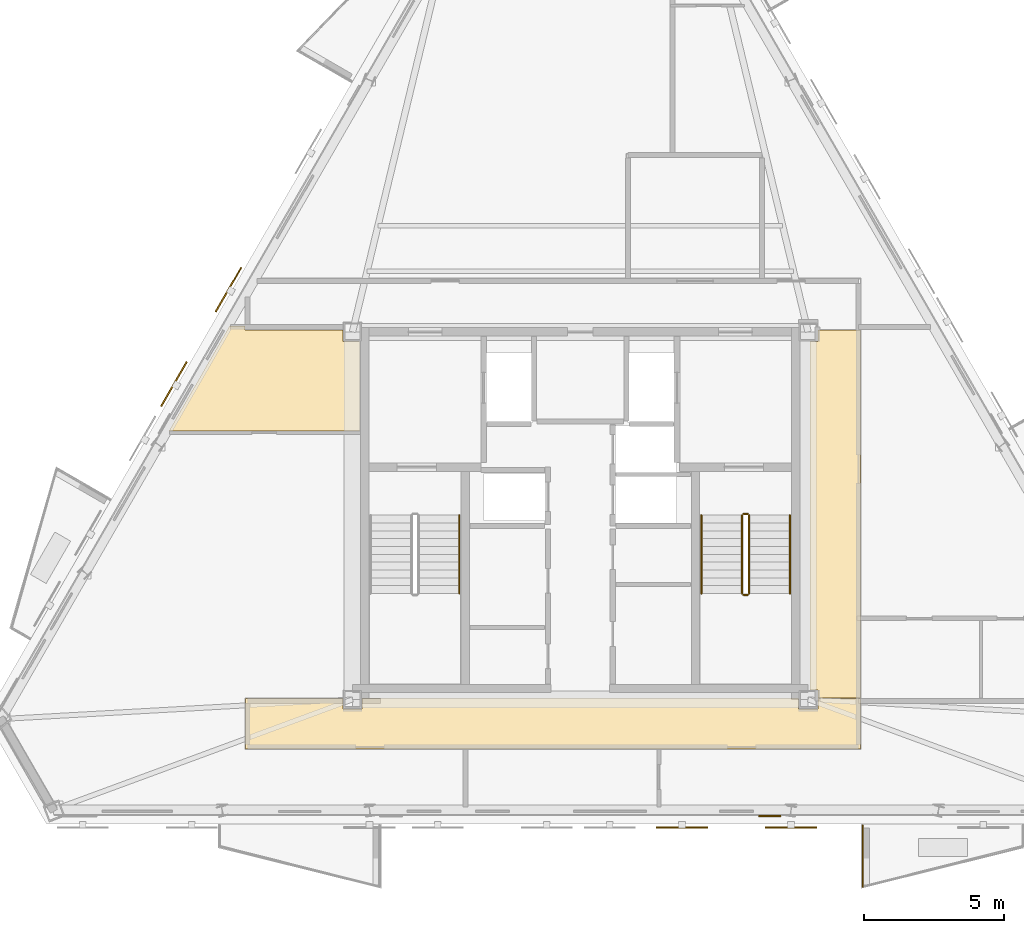
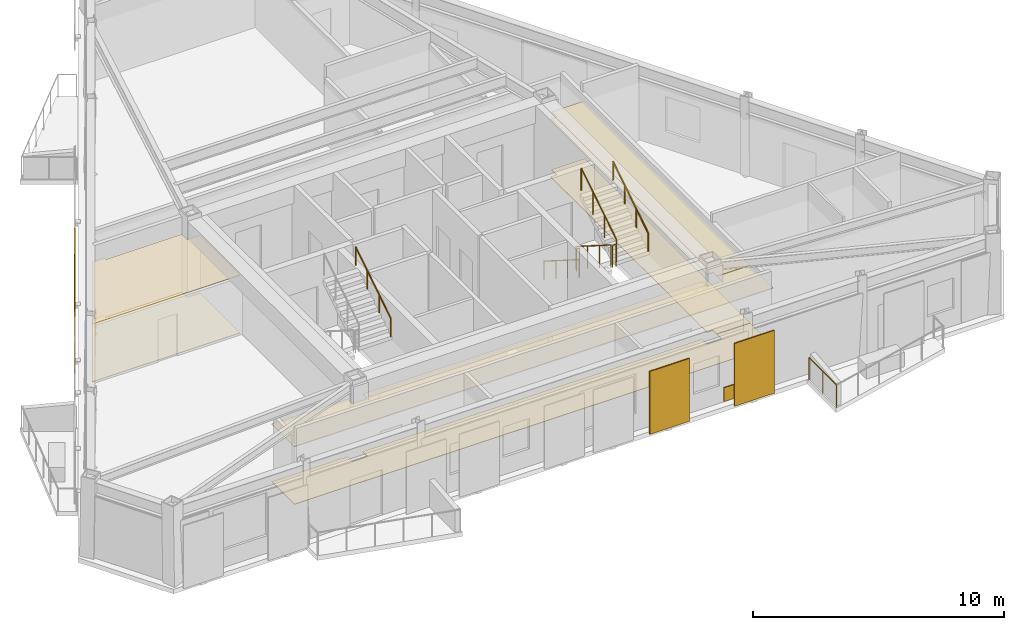
# One storey, part 7 of 9: 8 railings, 7 coverings, 4 shading devices.
"""IFC4 building model written with IfcOpenShell, lengths in metres."""

from ifc_helpers import new_model, si_unit, direction, frame, origin, origin_2d, place, context, subcontext, project, spatial, polyline, rectangle, circle, outline, extrude, material, layer, layer_set, type_object, element, save


model = new_model("IFC4")

# Units and contexts
model_context = context("Model", 3, precision=1e-05, world=origin(), true_north=direction((0.0, 1.0)))
body_context = subcontext(model_context, "Body", "Model", "MODEL_VIEW")
ifc_project = project(units=[si_unit("LENGTHUNIT", "METRE"), si_unit("AREAUNIT", "SQUARE_METRE"), si_unit("VOLUMEUNIT", "CUBIC_METRE"), si_unit("PLANEANGLEUNIT", "RADIAN"), si_unit("MASSUNIT", "GRAM", prefix="KILO")], contexts=[model_context])

# Site, building, storey
site_placement = place(None, origin())
site = spatial("IfcSite", under=ifc_project, at=site_placement, CompositionType="ELEMENT")
building_placement = place(site_placement, origin())
building = spatial("IfcBuilding", under=site, at=building_placement, Name="Oramaril Tower", CompositionType="ELEMENT")
storey_placement = place(building_placement, frame((0.0, 0.0, 301.199951171875)))
storey = spatial("IfcBuildingStorey", under=building, at=storey_placement, Name="L79", CompositionType="ELEMENT", Elevation=301.199951171875)

# Coverings
ifc_material_1 = material(Name="Mineral Fibre Acoustic Ceiling")
ifc_layer_1 = layer(ifc_material_1, 0.02001953125)
ifc_layer_set_1 = layer_set([ifc_layer_1], Name="CVT-CEIL")
covering_type_1 = type_object("IfcCoveringType", Name="CVT-CEIL", PredefinedType="CEILING", material=ifc_layer_set_1)
covering_1_placement = place(storey_placement, frame((0.0, 0.0, 2.81201171875)))
element("IfcCovering", 1, at=covering_1_placement, inside=storey, type_object=covering_type_1, Name="L79 Acoustic Suspended Ceiling 1", PredefinedType="CEILING", context=body_context, shape_type="SweptSolid", body=[
    extrude(outline(polyline([(29.0048828125, 10.655029296875), (29.695068359375, 10.655029296875), (29.695068359375, 11.030029296875), (45.304931640625, 11.030029296875), (45.304931640625, 10.655029296875), (45.9951171875, 10.655029296875), (45.9951171875, 11.030029296875), (47.530029296875, 11.030029296875), (47.530029296875, 9.219970703125), (25.52001953125, 9.219970703125), (25.52001953125, 11.030029296875), (29.0048828125, 11.030029296875), (29.0048828125, 10.655029296875)])), origin(), (0.0, 0.0, 1.0), 0.02001953125),
])
covering_2_placement = place(storey_placement, frame((0.0, 0.0, 2.81201171875)))
element("IfcCovering", 2, at=covering_2_placement, inside=storey, type_object=covering_type_1, Name="L79 Acoustic Suspended Ceiling 3", PredefinedType="CEILING", context=body_context, shape_type="SweptSolid", body=[
    extrude(outline(polyline([(47.530029296875, 11.050048828125), (45.9951171875, 11.050048828125), (45.9951171875, 11.344970703125), (45.719970703125, 11.344970703125), (45.719970703125, 23.804931640625), (45.9951171875, 23.804931640625), (45.9951171875, 24.219970703125), (47.530029296875, 24.219970703125), (47.530029296875, 11.050048828125)])), origin(), (0.0, 0.0, 1.0), 0.02001953125),
])
covering_3_placement = place(storey_placement, frame((0.0, 0.0, 2.81201171875)))
element("IfcCovering", 3, at=covering_3_placement, inside=storey, type_object=covering_type_1, Name="L79 Acoustic Suspended Ceiling 8", PredefinedType="CEILING", context=body_context, shape_type="SweptSolid", body=[
    extrude(outline(polyline([(29.0048828125, 23.804931640625), (29.60009765625, 23.804931640625), (29.60009765625, 20.60400390625), (22.78662109375, 20.60400390625), (24.956298828125, 24.362060546875), (25.5, 24.362060546875), (25.5, 24.239990234375), (25.5, 24.238037109375), (25.50048828125, 24.236083984375), (25.5009765625, 24.234130859375), (25.50146484375, 24.232421875), (25.50244140625, 24.230712890625), (25.50341796875, 24.22900390625), (25.50439453125, 24.227294921875), (25.505859375, 24.225830078125), (25.50732421875, 24.224609375), (25.5087890625, 24.223388671875), (25.510498046875, 24.222412109375), (25.51220703125, 24.221435546875), (25.51416015625, 24.220947265625), (25.51611328125, 24.220458984375), (25.51806640625, 24.22021484375), (25.52001953125, 24.219970703125), (29.0048828125, 24.219970703125), (29.0048828125, 23.804931640625)])), origin(), (0.0, 0.0, 1.0), 0.02001953125),
])
ifc_material_2 = material(Name="Warm Cream Limestone", Category="masonry")
ifc_layer_2 = layer(ifc_material_2, 0.050048828125)
ifc_layer_set_2 = layer_set([ifc_layer_2], Name="CVT-CLD")
covering_type_2 = type_object("IfcCoveringType", Name="CVT-CLD", PredefinedType="CLADDING", material=ifc_layer_set_2)
covering_4_placement = place(storey_placement, frame((44.2783203125, 6.82958984375, 0.0400390625), z_axis=(0.0, 0.0, 1.0), x_axis=(1.0, 0.0, 0.0)))
element("IfcCovering", 4, at=covering_4_placement, inside=storey, type_object=covering_type_2, Name="L79 Warm Cream Limestone Spandrel Cladding", PredefinedType="CLADDING", context=body_context, shape_type="SweptSolid", body=[
    extrude(rectangle(XDim=0.800048828125, YDim=0.050048828125, at=origin_2d()), origin(), (0.0, 0.0, 1.0), 0.679931640625),
])
ifc_material_3 = material(Name="Honed Quartzite Stone Flooring", Category="masonry")
ifc_layer_3 = layer(ifc_material_3, 0.02490234375)
ifc_layer_set_3 = layer_set([ifc_layer_3], Name="CVT-FLR")
covering_type_3 = type_object("IfcCoveringType", Name="CVT-FLR", PredefinedType="FLOORING", material=ifc_layer_set_3)
covering_5_placement = place(storey_placement, origin())
element("IfcCovering", 5, at=covering_5_placement, inside=storey, type_object=covering_type_3, Name="L79 Honed Stone Floor Finish 1", PredefinedType="FLOORING", context=body_context, shape_type="SweptSolid", body=[
    extrude(outline(polyline([(29.0048828125, 10.655029296875), (29.695068359375, 10.655029296875), (29.695068359375, 11.030029296875), (45.304931640625, 11.030029296875), (45.304931640625, 10.655029296875), (45.9951171875, 10.655029296875), (45.9951171875, 11.030029296875), (47.530029296875, 11.030029296875), (47.530029296875, 9.219970703125), (25.52001953125, 9.219970703125), (25.52001953125, 11.030029296875), (29.0048828125, 11.030029296875), (29.0048828125, 10.655029296875)])), origin(), (0.0, 0.0, 1.0), 0.025146484375),
])
covering_6_placement = place(storey_placement, origin())
element("IfcCovering", 6, at=covering_6_placement, inside=storey, type_object=covering_type_3, Name="L79 Honed Stone Floor Finish 3", PredefinedType="FLOORING", context=body_context, shape_type="SweptSolid", body=[
    extrude(outline(polyline([(47.530029296875, 11.050048828125), (45.9951171875, 11.050048828125), (45.9951171875, 11.344970703125), (45.719970703125, 11.344970703125), (45.719970703125, 23.804931640625), (45.9951171875, 23.804931640625), (45.9951171875, 24.219970703125), (47.530029296875, 24.219970703125), (47.530029296875, 11.050048828125)])), origin(), (0.0, 0.0, 1.0), 0.025146484375),
])
covering_7_placement = place(storey_placement, origin())
element("IfcCovering", 7, at=covering_7_placement, inside=storey, type_object=covering_type_3, Name="L79 Honed Stone Floor Finish 8", PredefinedType="FLOORING", context=body_context, shape_type="SweptSolid", body=[
    extrude(outline(polyline([(29.0048828125, 23.804931640625), (29.60009765625, 23.804931640625), (29.60009765625, 20.60400390625), (22.78662109375, 20.60400390625), (24.956298828125, 24.362060546875), (25.5, 24.362060546875), (25.5, 24.239990234375), (25.5, 24.238037109375), (25.50048828125, 24.236083984375), (25.5009765625, 24.234130859375), (25.50146484375, 24.232421875), (25.50244140625, 24.230712890625), (25.50341796875, 24.22900390625), (25.50439453125, 24.227294921875), (25.505859375, 24.225830078125), (25.50732421875, 24.224609375), (25.5087890625, 24.223388671875), (25.510498046875, 24.222412109375), (25.51220703125, 24.221435546875), (25.51416015625, 24.220947265625), (25.51611328125, 24.220458984375), (25.51806640625, 24.22021484375), (25.52001953125, 24.219970703125), (29.0048828125, 24.219970703125), (29.0048828125, 23.804931640625)])), origin(), (0.0, 0.0, 1.0), 0.025146484375),
])

# Railings
ifc_material_4 = material(Name="Stainless Steel 316L", Category="steel")
railing_type_1 = type_object("IfcRailingType", Name="RLT-GRD", PredefinedType="GUARDRAIL", material=ifc_material_4)
railing_1_placement = place(storey_placement, frame((47.6044921875, 4.297607421875, 0.0)))
element("IfcRailing", 8, at=railing_1_placement, inside=storey, type_object=railing_type_1, Name="L79 Balcony Guardrail L79-BAL-S2.3", PredefinedType="GUARDRAIL", context=body_context, shape_type="SweptSolid", body=[
    extrude(circle(Radius=0.02392578125, at=origin_2d()), frame((0.0, 0.0, 1.076171875), z_axis=(0.0, 1.0, 0.0), x_axis=(-1.0, 0.0, 0.0)), (0.0, 0.0, 1.0), 2.192138671875),
    extrude(circle(Radius=0.02099609375, at=origin_2d()), origin(), (0.0, 0.0, 1.0), 1.052001953125),
    extrude(circle(Radius=0.02099609375, at=origin_2d()), frame((0.0, 1.09619140625, 0.0)), (0.0, 0.0, 1.0), 1.052001953125),
    extrude(circle(Radius=0.02099609375, at=origin_2d()), frame((0.0, 2.192138671875, 0.0)), (0.0, 0.0, 1.0), 1.052001953125),
])
railing_2_placement = place(storey_placement, frame((43.2900390625, 17.590087890625, 0.17724609375)))
element("IfcRailing", 9, at=railing_2_placement, inside=storey, type_object=railing_type_1, Name="L79 ST-2 stair guard 1", PredefinedType="GUARDRAIL", context=body_context, shape_type="SweptSolid", body=[
    extrude(circle(Radius=0.02392578125, at=origin_2d()), frame((0.0, 0.0, 1.076171875), z_axis=(0.0, -0.844908973607, 0.534910110503), x_axis=(1.0, 0.0, 0.0)), (0.0, 0.0, 1.0), 3.31396484375),
    extrude(circle(Radius=0.02099609375, at=origin_2d()), origin(), (0.0, 0.0, 1.0), 1.052001953125),
    extrude(circle(Radius=0.02099609375, at=origin_2d()), frame((0.0, -0.933349609375, 0.5908203125)), (0.0, 0.0, 1.0), 1.052001953125),
    extrude(circle(Radius=0.02099609375, at=origin_2d()), frame((0.0, -1.86669921875, 1.181884765625)), (0.0, 0.0, 1.0), 1.052001953125),
    extrude(circle(Radius=0.02099609375, at=origin_2d()), frame((0.0, -2.800048828125, 1.772705078125)), (0.0, 0.0, 1.0), 1.052001953125),
])
railing_3_placement = place(storey_placement, frame((43.340087890625, 14.739990234375, 1.949951171875)))
element("IfcRailing", 10, at=railing_3_placement, inside=storey, type_object=railing_type_1, Name="L79 ST-2 stair guard 2", PredefinedType="GUARDRAIL", context=body_context, shape_type="SweptSolid", body=[
    extrude(circle(Radius=0.02392578125, at=origin_2d()), frame((0.0, 0.0, 1.076171875), z_axis=(1.0, 0.0, 0.0), x_axis=(0.0, 1.0, 0.0)), (0.0, 0.0, 1.0), 0.14990234375),
    extrude(circle(Radius=0.02099609375, at=origin_2d()), origin(), (0.0, 0.0, 1.0), 1.052001953125),
    extrude(circle(Radius=0.02099609375, at=origin_2d()), frame((0.14990234375, 0.0, 0.0)), (0.0, 0.0, 1.0), 1.052001953125),
])
railing_4_placement = place(storey_placement, frame((43.5400390625, 14.7900390625, 2.12744140625)))
element("IfcRailing", 11, at=railing_4_placement, inside=storey, type_object=railing_type_1, Name="L79 ST-2 stair guard 3", PredefinedType="GUARDRAIL", context=body_context, shape_type="SweptSolid", body=[
    extrude(circle(Radius=0.02392578125, at=origin_2d()), frame((0.0, 0.0, 1.076171875), z_axis=(0.0, 0.844908973607, 0.534910110503), x_axis=(-1.0, 0.0, 0.0)), (0.0, 0.0, 1.0), 3.31396484375),
    extrude(circle(Radius=0.02099609375, at=origin_2d()), origin(), (0.0, 0.0, 1.0), 1.052001953125),
    extrude(circle(Radius=0.02099609375, at=origin_2d()), frame((0.0, 0.933349609375, 0.5908203125)), (0.0, 0.0, 1.0), 1.052001953125),
    extrude(circle(Radius=0.02099609375, at=origin_2d()), frame((0.0, 1.86669921875, 1.181884765625)), (0.0, 0.0, 1.0), 1.052001953125),
    extrude(circle(Radius=0.02099609375, at=origin_2d()), frame((0.0, 2.800048828125, 1.772705078125)), (0.0, 0.0, 1.0), 1.052001953125),
])
railing_5_placement = place(storey_placement, frame((43.340087890625, 17.639892578125, 0.0)))
element("IfcRailing", 12, at=railing_5_placement, inside=storey, type_object=railing_type_1, Name="L79 ST-2 stair guard 4", PredefinedType="GUARDRAIL", context=body_context, shape_type="SweptSolid", body=[
    extrude(circle(Radius=0.02392578125, at=origin_2d()), frame((0.0, 0.0, 1.076171875), z_axis=(1.0, 0.0, 0.0), x_axis=(0.0, 1.0, 0.0)), (0.0, 0.0, 1.0), 0.14990234375),
    extrude(circle(Radius=0.02099609375, at=origin_2d()), origin(), (0.0, 0.0, 1.0), 1.052001953125),
    extrude(circle(Radius=0.02099609375, at=origin_2d()), frame((0.14990234375, 0.0, 0.0)), (0.0, 0.0, 1.0), 1.052001953125),
])
ifc_material_5 = material(Name="Stainless Steel 316L", Category="steel")
railing_type_2 = type_object("IfcRailingType", Name="RLT-HND", PredefinedType="HANDRAIL", material=ifc_material_5)
railing_6_placement = place(storey_placement, frame((33.169921875, 14.7900390625, 2.12744140625)))
element("IfcRailing", 13, at=railing_6_placement, inside=storey, type_object=railing_type_2, Name="L79 ST-1 stair handrail 2", PredefinedType="HANDRAIL", context=body_context, shape_type="SweptSolid", body=[
    extrude(circle(Radius=0.02392578125, at=origin_2d()), frame((0.0, 0.0, 0.8759765625), z_axis=(0.0, 0.844908973607, 0.534910110503), x_axis=(-1.0, 0.0, 0.0)), (0.0, 0.0, 1.0), 3.31396484375),
    extrude(circle(Radius=0.02099609375, at=origin_2d()), origin(), (0.0, 0.0, 1.0), 0.851806640625),
    extrude(circle(Radius=0.02099609375, at=origin_2d()), frame((0.0, 0.933349609375, 0.5908203125)), (0.0, 0.0, 1.0), 0.851806640625),
    extrude(circle(Radius=0.02099609375, at=origin_2d()), frame((0.0, 1.86669921875, 1.181884765625)), (0.0, 0.0, 1.0), 0.851806640625),
    extrude(circle(Radius=0.02099609375, at=origin_2d()), frame((0.0, 2.800048828125, 1.772705078125)), (0.0, 0.0, 1.0), 0.851806640625),
])
railing_7_placement = place(storey_placement, frame((41.830078125, 17.590087890625, 0.17724609375)))
element("IfcRailing", 14, at=railing_7_placement, inside=storey, type_object=railing_type_2, Name="L79 ST-2 stair handrail 1", PredefinedType="HANDRAIL", context=body_context, shape_type="SweptSolid", body=[
    extrude(circle(Radius=0.02392578125, at=origin_2d()), frame((0.0, 0.0, 0.8759765625), z_axis=(0.0, -0.844908973607, 0.534910110503), x_axis=(1.0, 0.0, 0.0)), (0.0, 0.0, 1.0), 3.31396484375),
    extrude(circle(Radius=0.02099609375, at=origin_2d()), origin(), (0.0, 0.0, 1.0), 0.851806640625),
    extrude(circle(Radius=0.02099609375, at=origin_2d()), frame((0.0, -0.933349609375, 0.5908203125)), (0.0, 0.0, 1.0), 0.851806640625),
    extrude(circle(Radius=0.02099609375, at=origin_2d()), frame((0.0, -1.86669921875, 1.181884765625)), (0.0, 0.0, 1.0), 0.851806640625),
    extrude(circle(Radius=0.02099609375, at=origin_2d()), frame((0.0, -2.800048828125, 1.772705078125)), (0.0, 0.0, 1.0), 0.851806640625),
])
railing_8_placement = place(storey_placement, frame((45.0, 14.7900390625, 2.12744140625)))
element("IfcRailing", 15, at=railing_8_placement, inside=storey, type_object=railing_type_2, Name="L79 ST-2 stair handrail 2", PredefinedType="HANDRAIL", context=body_context, shape_type="SweptSolid", body=[
    extrude(circle(Radius=0.02392578125, at=origin_2d()), frame((0.0, 0.0, 0.8759765625), z_axis=(0.0, 0.844908973607, 0.534910110503), x_axis=(-1.0, 0.0, 0.0)), (0.0, 0.0, 1.0), 3.31396484375),
    extrude(circle(Radius=0.02099609375, at=origin_2d()), origin(), (0.0, 0.0, 1.0), 0.851806640625),
    extrude(circle(Radius=0.02099609375, at=origin_2d()), frame((0.0, 0.933349609375, 0.5908203125)), (0.0, 0.0, 1.0), 0.851806640625),
    extrude(circle(Radius=0.02099609375, at=origin_2d()), frame((0.0, 1.86669921875, 1.181884765625)), (0.0, 0.0, 1.0), 0.851806640625),
    extrude(circle(Radius=0.02099609375, at=origin_2d()), frame((0.0, 2.800048828125, 1.772705078125)), (0.0, 0.0, 1.0), 0.851806640625),
])

# Shading devices
for number, where, z_axis, x_axis, name in (
    (16, (41.14013671875, 6.417724609375, -0.02001953125), (0.0, 0.0, 1.0), (1.0, 0.0, 0.0), "L79 Perforated Ceramic Solar Screen"),
    (17, (45.0400390625, 6.417724609375, -0.02001953125), (0.0, 0.0, 1.0), (1.0, 0.0, 0.0), "L79 Perforated Ceramic Solar Screen"),
    (18, (24.9130859375, 25.6630859375, -0.02001953125), (0.0, 0.0, 1.0), (-0.500001511499, -0.866024531118, 0.0), "L79 Perforated Ceramic Solar Screen"),
    (19, (22.962890625, 22.28564453125, -0.02001953125), (0.0, 0.0, 1.0), (-0.500001511499, -0.866024531118, 0.0), "L79 Perforated Ceramic Solar Screen"),
):
    element("IfcShadingDevice", number, at=place(storey_placement, frame(where, z_axis=z_axis, x_axis=x_axis)), inside=storey, Name=name, ObjectType="SCREEN", PredefinedType="USERDEFINED", context=body_context, shape_type="SweptSolid", body=[
        extrude(rectangle(XDim=1.8330078125, YDim=0.050048828125, at=origin_2d()), origin(), (0.0, 0.0, 1.0), 3.05810546875),
    ])

save(model, "model.ifc")
